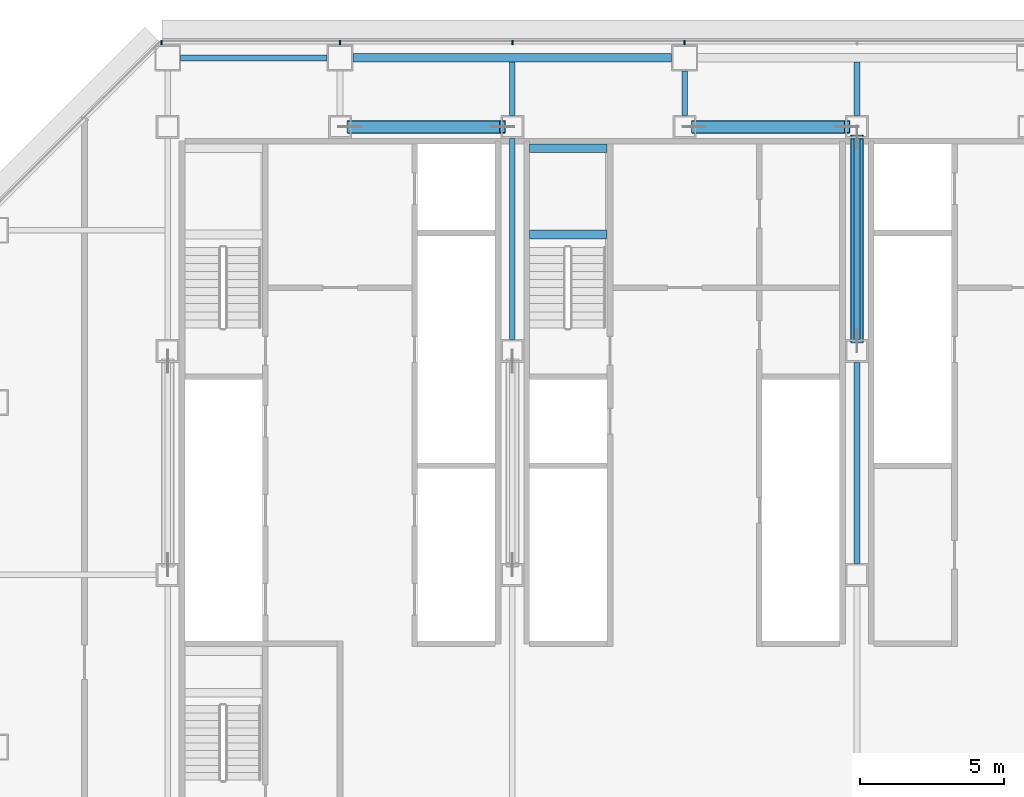
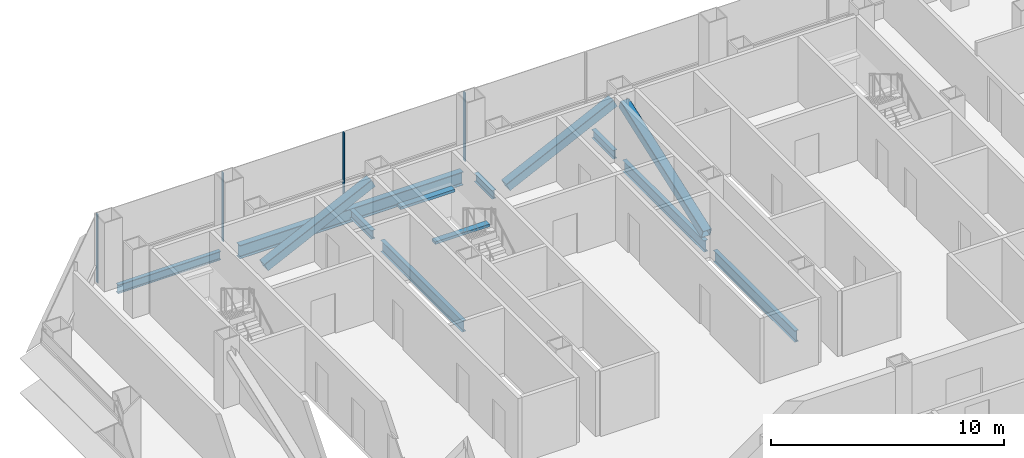
# One storey, part 12 of 27: 10 beams, 7 members, 1 element without a shape of its own.
"""IFC4 building model written with IfcOpenShell, lengths in metres."""

from ifc_helpers import new_model, si_unit, direction, frame, origin, origin_2d, place, context, subcontext, project, spatial, rectangle, hollow_rectangle, i_section, extrude, material, material_profile, profile_set, type_object, element, aggregate, save


model = new_model("IFC4")

# Units and contexts
model_context = context("Model", 3, precision=1e-05, world=origin(), true_north=direction((0.0, 1.0)))
body_context = subcontext(model_context, "Body", "Model", "MODEL_VIEW")
ifc_project = project(units=[si_unit("LENGTHUNIT", "METRE"), si_unit("AREAUNIT", "SQUARE_METRE"), si_unit("VOLUMEUNIT", "CUBIC_METRE"), si_unit("PLANEANGLEUNIT", "RADIAN"), si_unit("MASSUNIT", "GRAM", prefix="KILO")], contexts=[model_context])

# Site, building, storey
site_placement = place(None, origin())
site = spatial("IfcSite", under=ifc_project, at=site_placement, CompositionType="ELEMENT")
building_placement = place(site_placement, origin())
building = spatial("IfcBuilding", under=site, at=building_placement, Name="Sorahane Residences", CompositionType="ELEMENT")
storey_placement = place(building_placement, frame((0.0, 0.0, 78.60009765625)))
storey = spatial("IfcBuildingStorey", under=building, at=storey_placement, Name="L16", CompositionType="ELEMENT", Elevation=78.60009765625)

# Members
ifc_material_1 = material(Name="Steel Q355B", Category="steel")
ifc_material_profile_1 = material_profile(ifc_material_1, hollow_rectangle(XDim=0.449951171875, YDim=0.449951171875, WallThickness=0.02197265625, InnerFilletRadius=0.010986328125, OuterFilletRadius=0.032958984375, at=origin_2d()), Name="RHS 450x450x22")
ifc_profile_set_1 = profile_set([ifc_material_profile_1], Name="Steel Q355B")
member_type_1 = type_object("IfcMemberType", Name="Core brace RHS 450x450x22 Q355B", PredefinedType="BRACE", material=ifc_profile_set_1)
for number, where, z_axis, x_axis, name in (
    (1, (12.341064453125, 45.60009765625, 0.1962890625), (0.899894691922, 0.0, 0.436107261405), (0.0, 1.0, 0.0), "Core brace L16 y45.6-2"),
    (2, (24.341064453125, 45.60009765625, 0.1962890625), (0.899894691922, 0.0, 0.436107261405), (0.0, 1.0, 0.0), "Core brace L16 y45.6-4"),
):
    element("IfcMember", number, at=place(storey_placement, frame(where, z_axis=z_axis, x_axis=x_axis)), inside=storey, type_object=member_type_1, Name=name, PredefinedType="BRACE", context=body_context, shape_type="SweptSolid", body=[
        extrude(hollow_rectangle(XDim=0.449951171875, YDim=0.449951171875, WallThickness=0.02197265625, InnerFilletRadius=0.010986328125, OuterFilletRadius=0.032958984375, at=origin_2d()), origin(), (0.0, 0.0, 1.0), 5.909423828125),
    ])
member_1_placement = place(storey_placement, frame((30.0, 38.154296875, 0.20849609375), z_axis=(0.0, 0.940882869443, 0.338732085856), x_axis=(-1.0, 0.0, 0.0)))
element("IfcMember", 3, at=member_1_placement, inside=storey, type_object=member_type_1, Name="Core brace L16 x30-2", PredefinedType="BRACE", context=body_context, shape_type="SweptSolid", body=[
    extrude(hollow_rectangle(XDim=0.449951171875, YDim=0.449951171875, WallThickness=0.02197265625, InnerFilletRadius=0.010986328125, OuterFilletRadius=0.032958984375, at=origin_2d()), origin(), (0.0, 0.0, 1.0), 7.536865234375),
])

# Curtain wall, members
ifc_material_2 = material(Name="Dark low-e glass and black anodised aluminium", Category="aluminium")
curtain_wall_type = type_object("IfcCurtainWallType", Name="Curtain wall CW-1 Typical unitised wall", PredefinedType="NOTDEFINED", material=ifc_material_2)
curtain_wall_placement = place(storey_placement, origin())
curtain_wall = element("IfcCurtainWall", 4, at=curtain_wall_placement, inside=storey, type_object=curtain_wall_type, Name="CW-1 curtain wall L16 N1", PredefinedType="NOTDEFINED")
ifc_material_3 = material(Name="Black anodised aluminium", Category="aluminium")
ifc_material_profile_2 = material_profile(ifc_material_3, rectangle(XDim=0.159912109375, YDim=0.050048828125, at=origin_2d()), Name="Curtain wall mullion CW-1 black anodised aluminium 50x160")
ifc_profile_set_2 = profile_set([ifc_material_profile_2], Name="Black anodised aluminium")
member_type_2 = type_object("IfcMemberType", Name="Curtain wall mullion CW-1 black anodised aluminium 50x160", PredefinedType="MULLION", material=ifc_profile_set_2)
member_2_placement = place(storey_placement, frame((24.0, 48.5400390625, -0.18017578125), z_axis=(0.0, 0.0, 1.0), x_axis=(0.0, 1.0, 0.0)))
member_2 = element("IfcMember", 5, at=member_2_placement, type_object=member_type_2, Name="CW-1 mullion L16 N1.7", PredefinedType="MULLION", context=body_context, shape_type="SweptSolid", body=[
    extrude(rectangle(XDim=0.159912109375, YDim=0.050048828125, at=origin_2d()), origin(), (0.0, 0.0, 1.0), 3.60009765625),
])
member_3_placement = place(storey_placement, frame((18.0, 48.5400390625, -0.18017578125), z_axis=(0.0, 0.0, 1.0), x_axis=(0.0, 1.0, 0.0)))
member_3 = element("IfcMember", 6, at=member_3_placement, type_object=member_type_2, Name="CW-1 mullion L16 N1.8", PredefinedType="MULLION", context=body_context, shape_type="SweptSolid", body=[
    extrude(rectangle(XDim=0.159912109375, YDim=0.050048828125, at=origin_2d()), origin(), (0.0, 0.0, 1.0), 3.60009765625),
])
member_4_placement = place(storey_placement, frame((12.0, 48.5400390625, -0.18017578125), z_axis=(0.0, 0.0, 1.0), x_axis=(0.0, 1.0, 0.0)))
member_4 = element("IfcMember", 7, at=member_4_placement, type_object=member_type_2, Name="CW-1 mullion L16 N1.9", PredefinedType="MULLION", context=body_context, shape_type="SweptSolid", body=[
    extrude(rectangle(XDim=0.159912109375, YDim=0.050048828125, at=origin_2d()), origin(), (0.0, 0.0, 1.0), 3.60009765625),
])
member_5_placement = place(storey_placement, frame((5.7763671875, 48.5400390625, -0.18017578125), z_axis=(0.0, 0.0, 1.0), x_axis=(0.0, 1.0, 0.0)))
member_5 = element("IfcMember", 8, at=member_5_placement, type_object=member_type_2, Name="CW-1 mullion L16 N1.10", PredefinedType="MULLION", context=body_context, shape_type="SweptSolid", body=[
    extrude(rectangle(XDim=0.159912109375, YDim=0.050048828125, at=origin_2d()), origin(), (0.0, 0.0, 1.0), 3.60009765625),
])
aggregate(curtain_wall, [member_2, member_3, member_4, member_5])

# Beams
ifc_material_4 = material(Name="Concrete C40", Category="concrete")
ifc_material_profile_3 = material_profile(ifc_material_4, rectangle(XDim=0.300048828125, YDim=0.139892578125, at=origin_2d()), Name="300x140")
ifc_profile_set_3 = profile_set([ifc_material_profile_3], Name="Concrete C40")
beam_type_1 = type_object("IfcBeamType", Name="RC landing beam 300 x 140 Concrete C40", PredefinedType="BEAM", material=ifc_profile_set_3)
for number, where, z_axis, x_axis, name in (
    (9, (18.60009765625, 41.85009765625, 1.52978515625), (1.0, 0.0, 0.0), (0.0, 1.0, 0.0), "Landing beam"),
    (10, (18.60009765625, 44.85009765625, 1.52978515625), (1.0, 0.0, 0.0), (0.0, 1.0, 0.0), "Landing beam"),
):
    element("IfcBeam", number, at=place(storey_placement, frame(where, z_axis=z_axis, x_axis=x_axis)), inside=storey, type_object=beam_type_1, Name=name, PredefinedType="BEAM", context=body_context, shape_type="SweptSolid", body=[
        extrude(rectangle(XDim=0.300048828125, YDim=0.139892578125, at=origin_2d()), origin(), (0.0, 0.0, 1.0), 2.699951171875),
    ])
ifc_material_5 = material(Name="Steel Q355B", Category="steel")
ifc_material_profile_4 = material_profile(ifc_material_5, i_section(OverallWidth=0.199951171875, OverallDepth=0.449951171875, WebThickness=0.009033203125, FlangeThickness=0.013916015625, FilletRadius=0.02001953125, at=origin_2d()), Name="HN 450x200x9x14")
ifc_profile_set_4 = profile_set([ifc_material_profile_4], Name="Steel Q355B")
beam_type_2 = type_object("IfcBeamType", Name="Steel floor beam HN 450x200x9x14 Q355B", PredefinedType="BEAM", material=ifc_profile_set_4)
beam_1_placement = place(storey_placement, frame((6.449951171875, 48.0, -0.405029296875), z_axis=(1.0, 0.0, 0.0), x_axis=(0.0, 1.0, 0.0)))
element("IfcBeam", 11, at=beam_1_placement, inside=storey, type_object=beam_type_2, Name="Beam L16 012", PredefinedType="BEAM", context=body_context, shape_type="SweptSolid", body=[
    extrude(i_section(OverallWidth=0.199951171875, OverallDepth=0.449951171875, WebThickness=0.009033203125, FlangeThickness=0.013916015625, FilletRadius=0.02001953125, at=origin_2d()), origin(), (0.0, 0.0, 1.0), 5.10009765625),
])
beam_2_placement = place(storey_placement, frame((18.0, 46.0, -0.405029296875), z_axis=(0.0, 1.0, 0.0), x_axis=(-1.0, 0.0, 0.0)))
element("IfcBeam", 12, at=beam_2_placement, inside=storey, type_object=beam_type_2, Name="Beam L16 034", PredefinedType="BEAM", context=body_context, shape_type="SweptSolid", body=[
    extrude(i_section(OverallWidth=0.199951171875, OverallDepth=0.449951171875, WebThickness=0.009033203125, FlangeThickness=0.013916015625, FilletRadius=0.02001953125, at=origin_2d()), origin(), (0.0, 0.0, 1.0), 1.85009765625),
])
beam_3_placement = place(storey_placement, frame((24.0, 46.0, -0.405029296875), z_axis=(0.0, 1.0, 0.0), x_axis=(-1.0, 0.0, 0.0)))
element("IfcBeam", 13, at=beam_3_placement, inside=storey, type_object=beam_type_2, Name="Beam L16 036", PredefinedType="BEAM", context=body_context, shape_type="SweptSolid", body=[
    extrude(i_section(OverallWidth=0.199951171875, OverallDepth=0.449951171875, WebThickness=0.009033203125, FlangeThickness=0.013916015625, FilletRadius=0.02001953125, at=origin_2d()), origin(), (0.0, 0.0, 1.0), 1.550048828125),
])
beam_4_placement = place(storey_placement, frame((30.0, 46.0, -0.405029296875), z_axis=(0.0, 1.0, 0.0), x_axis=(-1.0, 0.0, 0.0)))
element("IfcBeam", 14, at=beam_4_placement, inside=storey, type_object=beam_type_2, Name="Beam L16 042", PredefinedType="BEAM", context=body_context, shape_type="SweptSolid", body=[
    extrude(i_section(OverallWidth=0.199951171875, OverallDepth=0.449951171875, WebThickness=0.009033203125, FlangeThickness=0.013916015625, FilletRadius=0.02001953125, at=origin_2d()), origin(), (0.0, 0.0, 1.0), 1.85009765625),
])
ifc_material_6 = material(Name="Steel Q355B", Category="steel")
ifc_material_profile_5 = material_profile(ifc_material_6, i_section(OverallWidth=0.199951171875, OverallDepth=0.60009765625, WebThickness=0.010986328125, FlangeThickness=0.01708984375, FilletRadius=0.02392578125, at=origin_2d()), Name="HN 600x200x11x17")
ifc_profile_set_5 = profile_set([ifc_material_profile_5], Name="Steel Q355B")
beam_type_3 = type_object("IfcBeamType", Name="Steel floor beam HN 600x200x11x17 Q355B", PredefinedType="BEAM", material=ifc_profile_set_5)
for number, where, z_axis, x_axis, name in (
    (15, (18.0, 38.199951171875, -0.47998046875), (0.0, 1.0, 0.0), (-1.0, 0.0, 0.0), "Beam L16 033"),
    (16, (30.0, 30.39990234375, -0.47998046875), (0.0, 1.0, 0.0), (-1.0, 0.0, 0.0), "Beam L16 040"),
    (17, (30.0, 38.199951171875, -0.47998046875), (0.0, 1.0, 0.0), (-1.0, 0.0, 0.0), "Beam L16 041"),
):
    element("IfcBeam", number, at=place(storey_placement, frame(where, z_axis=z_axis, x_axis=x_axis)), inside=storey, type_object=beam_type_3, Name=name, PredefinedType="BEAM", context=body_context, shape_type="SweptSolid", body=[
        extrude(i_section(OverallWidth=0.199951171875, OverallDepth=0.60009765625, WebThickness=0.010986328125, FlangeThickness=0.01708984375, FilletRadius=0.02392578125, at=origin_2d()), origin(), (0.0, 0.0, 1.0), 7.0),
    ])
ifc_material_7 = material(Name="Steel Q355B", Category="steel")
ifc_material_profile_6 = material_profile(ifc_material_7, i_section(OverallWidth=0.300048828125, OverallDepth=0.699951171875, WebThickness=0.012939453125, FlangeThickness=0.02392578125, FilletRadius=0.028076171875, at=origin_2d()), Name="HN 700x300x13x24")
ifc_profile_set_6 = profile_set([ifc_material_profile_6], Name="Steel Q355B")
beam_type_4 = type_object("IfcBeamType", Name="Steel floor beam HN 700x300x13x24 Q355B", PredefinedType="BEAM", material=ifc_profile_set_6)
beam_5_placement = place(storey_placement, frame((12.449951171875, 48.0, -0.530029296875), z_axis=(1.0, 0.0, 0.0), x_axis=(0.0, 1.0, 0.0)))
element("IfcBeam", 18, at=beam_5_placement, inside=storey, type_object=beam_type_4, Name="Beam L16 013", PredefinedType="BEAM", context=body_context, shape_type="SweptSolid", body=[
    extrude(i_section(OverallWidth=0.300048828125, OverallDepth=0.699951171875, WebThickness=0.012939453125, FlangeThickness=0.02392578125, FilletRadius=0.028076171875, at=origin_2d()), origin(), (0.0, 0.0, 1.0), 11.10009765625),
])

save(model, "model.ifc")
